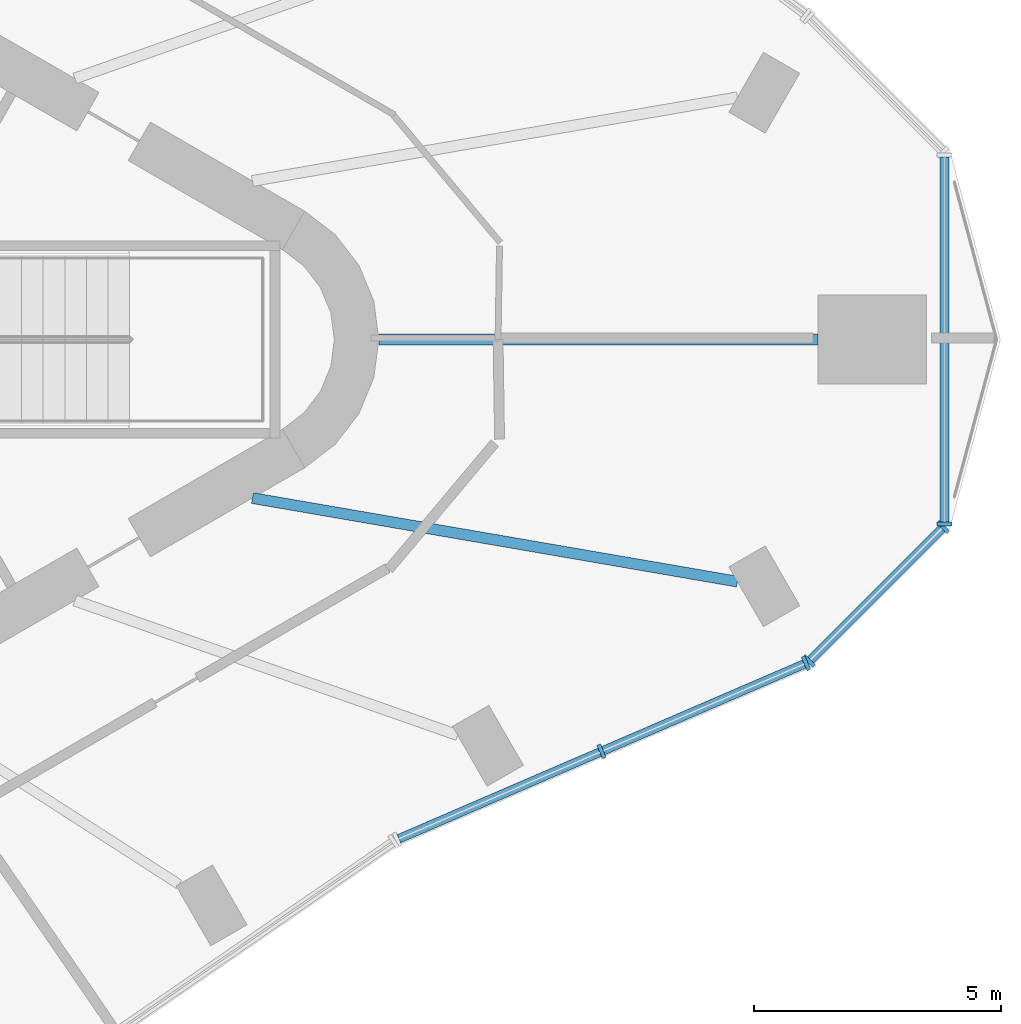
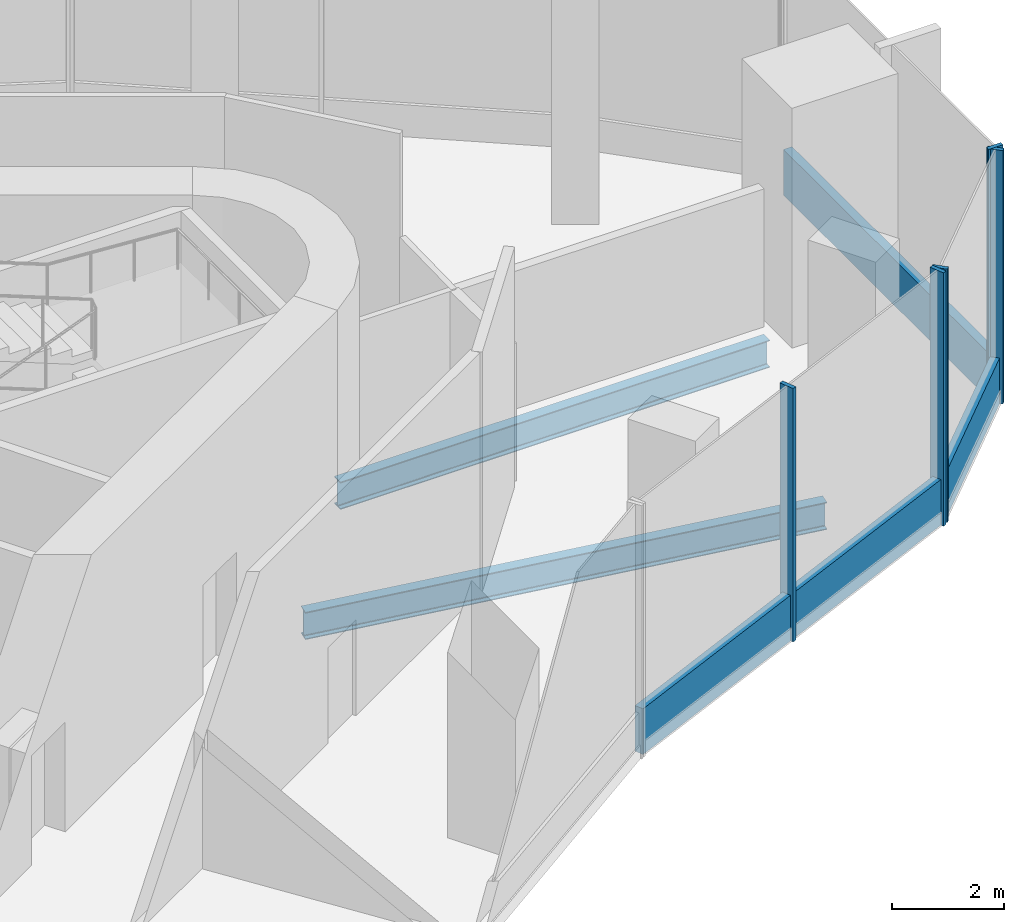
# One storey, part 3 of 13: 9 members, 2 beams, 3 elements without a shape of their own.
"""IFC4 building model written with IfcOpenShell, lengths in metres."""

from ifc_helpers import new_model, si_unit, direction, frame, origin, origin_2d, place, context, subcontext, project, spatial, rectangle, i_section, extrude, material, material_profile, profile_set, type_object, element, aggregate, save


model = new_model("IFC4")

# Units and contexts
model_context = context("Model", 3, precision=1e-05, world=origin(), true_north=direction((0.0, 1.0)))
body_context = subcontext(model_context, "Body", "Model", "MODEL_VIEW")
ifc_project = project(units=[si_unit("LENGTHUNIT", "METRE"), si_unit("AREAUNIT", "SQUARE_METRE"), si_unit("VOLUMEUNIT", "CUBIC_METRE"), si_unit("PLANEANGLEUNIT", "RADIAN"), si_unit("MASSUNIT", "GRAM", prefix="KILO")], contexts=[model_context])

# Site, building, storey
site_placement = place(None, origin())
site = spatial("IfcSite", under=ifc_project, at=site_placement, CompositionType="ELEMENT")
building_placement = place(site_placement, origin())
building = spatial("IfcBuilding", under=site, at=building_placement, Name="Tanit Gate Tower", CompositionType="ELEMENT")
storey_placement = place(building_placement, frame((0.0, 0.0, 404.800048828125)))
storey = spatial("IfcBuildingStorey", under=building, at=storey_placement, Name="L92", CompositionType="ELEMENT", Elevation=404.800048828125)

# Curtain wall, members
ifc_material_1 = material(Name="Aluminium bronze anodised and glass", Category="aluminium")
curtain_wall_type = type_object("IfcCurtainWallType", Name="Curtain wall observation", PredefinedType="NOTDEFINED", material=ifc_material_1)
curtain_wall_1_placement = place(storey_placement, origin())
curtain_wall_1 = element("IfcCurtainWall", 1, at=curtain_wall_1_placement, inside=storey, type_object=curtain_wall_type, Name="Curtain wall L92 SE3", PredefinedType="NOTDEFINED")
ifc_material_2 = material(Name="Aluminium bronze anodised", Category="aluminium")
ifc_material_profile_1 = material_profile(ifc_material_2, rectangle(XDim=0.300048828125, YDim=0.080078125, at=origin_2d()), Name="80x300 bronze mullion")
ifc_profile_set_1 = profile_set([ifc_material_profile_1], Name="Aluminium bronze anodised")
member_type_1 = type_object("IfcMemberType", Name="Mullion 80x300 observation", PredefinedType="MULLION", material=ifc_profile_set_1)
member_1_placement = place(storey_placement, frame((25.712646484375, -8.344482421875, -0.300048828125), z_axis=(0.0, 0.0, 1.0), x_axis=(-0.395871474525, 0.918305927051, 0.0)))
member_1 = element("IfcMember", 2, at=member_1_placement, type_object=member_type_1, Name="Mullion L92 SE3.2", PredefinedType="MULLION", context=body_context, shape_type="SweptSolid", body=[
    extrude(rectangle(XDim=0.300048828125, YDim=0.080078125, at=origin_2d()), origin(), (0.0, 0.0, 1.0), 5.550048828125),
])
member_2_placement = place(storey_placement, frame((29.854248046875, -6.55908203125, -0.300048828125), z_axis=(0.0, 0.0, 1.0), x_axis=(-0.395871474525, 0.918305927051, 0.0)))
member_2 = element("IfcMember", 3, at=member_2_placement, type_object=member_type_1, Name="Mullion L92 SE3.3", PredefinedType="MULLION", context=body_context, shape_type="SweptSolid", body=[
    extrude(rectangle(XDim=0.300048828125, YDim=0.080078125, at=origin_2d()), origin(), (0.0, 0.0, 1.0), 5.550048828125),
])

curtain_wall_2_placement = place(storey_placement, origin())
curtain_wall_2 = element("IfcCurtainWall", 4, at=curtain_wall_2_placement, inside=storey, type_object=curtain_wall_type, Name="Curtain wall L92 E.arc1", PredefinedType="NOTDEFINED")
member_3_placement = place(storey_placement, frame((29.91943359375, -6.514892578125, -0.300048828125), z_axis=(0.0, 0.0, 1.0), x_axis=(-0.707106781187, 0.707106781187, 0.0)))
member_3 = element("IfcMember", 5, at=member_3_placement, type_object=member_type_1, Name="Mullion L92 E.arc1.1", PredefinedType="MULLION", context=body_context, shape_type="SweptSolid", body=[
    extrude(rectangle(XDim=0.300048828125, YDim=0.080078125, at=origin_2d()), origin(), (0.0, 0.0, 1.0), 5.550048828125),
])
member_4_placement = place(storey_placement, frame((32.632080078125, -3.80224609375, -0.300048828125), z_axis=(0.0, 0.0, 1.0), x_axis=(-0.707106781187, 0.707106781187, 0.0)))
member_4 = element("IfcMember", 6, at=member_4_placement, type_object=member_type_1, Name="Mullion L92 E.arc1.2", PredefinedType="MULLION", context=body_context, shape_type="SweptSolid", body=[
    extrude(rectangle(XDim=0.300048828125, YDim=0.080078125, at=origin_2d()), origin(), (0.0, 0.0, 1.0), 5.550048828125),
])

# Curtain wall, member
curtain_wall_3_placement = place(storey_placement, origin())
curtain_wall_3 = element("IfcCurtainWall", 7, at=curtain_wall_3_placement, inside=storey, type_object=curtain_wall_type, Name="Curtain wall L92 E.arc2", PredefinedType="NOTDEFINED")
member_5_placement = place(storey_placement, frame((32.66015625, -3.73388671875, -0.300048828125), z_axis=(0.0, 0.0, 1.0), x_axis=(-1.0, 0.0, 0.0)))
member_5 = element("IfcMember", 8, at=member_5_placement, type_object=member_type_1, Name="Mullion L92 E.arc2.1", PredefinedType="MULLION", context=body_context, shape_type="SweptSolid", body=[
    extrude(rectangle(XDim=0.300048828125, YDim=0.080078125, at=origin_2d()), origin(), (0.0, 0.0, 1.0), 5.550048828125),
])

# Beams
ifc_material_3 = material(Name="Steel S355", Category="steel")
ifc_material_profile_2 = material_profile(ifc_material_3, i_section(OverallWidth=0.219970703125, OverallDepth=0.60009765625, WebThickness=0.011962890625, FlangeThickness=0.01904296875, FilletRadius=0.02392578125, at=origin_2d()), Name="IPE 600")
ifc_profile_set_2 = profile_set([ifc_material_profile_2], Name="Steel S355")
beam_type = type_object("IfcBeamType", Name="RADIAL GIRDER IPE 600 S355", PredefinedType="BEAM", material=ifc_profile_set_2)
beam_1_placement = place(storey_placement, frame((28.464599609375, -4.905029296875, -0.60009765625), z_axis=(-0.985476230571, 0.169813424025, 0.0), x_axis=(-0.169813424025, -0.985476230571, 0.0)))
element("IfcBeam", 9, at=beam_1_placement, inside=storey, type_object=beam_type, Name="RADIAL GIRDER", PredefinedType="BEAM", context=body_context, shape_type="SweptSolid", body=[
    extrude(i_section(OverallWidth=0.219970703125, OverallDepth=0.60009765625, WebThickness=0.011962890625, FlangeThickness=0.01904296875, FilletRadius=0.02392578125, at=origin_2d()), origin(), (0.0, 0.0, 1.0), 9.968994140625),
])
beam_2_placement = place(storey_placement, frame((30.095703125, 0.0, -0.60009765625), z_axis=(-1.0, 0.0, 0.0), x_axis=(0.0, -1.0, 0.0)))
element("IfcBeam", 10, at=beam_2_placement, inside=storey, type_object=beam_type, Name="RADIAL GIRDER", PredefinedType="BEAM", context=body_context, shape_type="SweptSolid", body=[
    extrude(i_section(OverallWidth=0.219970703125, OverallDepth=0.60009765625, WebThickness=0.011962890625, FlangeThickness=0.01904296875, FilletRadius=0.02392578125, at=origin_2d()), origin(), (0.0, 0.0, 1.0), 8.893798828125),
])

# Member
ifc_material_4 = material(Name="Aluminium bronze anodised", Category="aluminium")
ifc_material_profile_3 = material_profile(ifc_material_4, rectangle(XDim=0.179931640625, YDim=1.0, at=origin_2d()), Name="180x1000 bronze transom")
ifc_profile_set_3 = profile_set([ifc_material_profile_3], Name="Aluminium bronze anodised")
member_type_2 = type_object("IfcMemberType", Name="Transom 180x1000 observation", PredefinedType="USERDEFINED", material=ifc_profile_set_3)
member_6_placement = place(storey_placement, frame((21.60791015625, -10.114013671875, 0.199951171875), z_axis=(0.918310615543, 0.395860598419, 0.0), x_axis=(-0.395860598419, 0.918310615543, 0.0)))
member_6 = element("IfcMember", 11, at=member_6_placement, type_object=member_type_2, Name="Transom L92 SE3.1", ObjectType="TRANSOM", PredefinedType="USERDEFINED", context=body_context, shape_type="SweptSolid", body=[
    extrude(rectangle(XDim=0.179931640625, YDim=1.0, at=origin_2d()), origin(), (0.0, 0.0, 1.0), 4.429931640625),
])

member_7_placement = place(storey_placement, frame((25.74951171875, -8.32861328125, 0.199951171875), z_axis=(0.918310615543, 0.395860598419, 0.0), x_axis=(-0.395860598419, 0.918310615543, 0.0)))
member_7 = element("IfcMember", 12, at=member_7_placement, type_object=member_type_2, Name="Transom L92 SE3.2", ObjectType="TRANSOM", PredefinedType="USERDEFINED", context=body_context, shape_type="SweptSolid", body=[
    extrude(rectangle(XDim=0.179931640625, YDim=1.0, at=origin_2d()), origin(), (0.0, 0.0, 1.0), 4.429931640625),
])

aggregate(curtain_wall_1, [member_1, member_2, member_6, member_7])

member_8_placement = place(storey_placement, frame((29.947509765625, -6.486572265625, 0.199951171875), z_axis=(0.707139277649, 0.70707428323, 0.0), x_axis=(-0.70707428323, 0.707139277649, 0.0)))
member_8 = element("IfcMember", 13, at=member_8_placement, type_object=member_type_2, Name="Transom L92 E.arc1.1", ObjectType="TRANSOM", PredefinedType="USERDEFINED", context=body_context, shape_type="SweptSolid", body=[
    extrude(rectangle(XDim=0.179931640625, YDim=1.0, at=origin_2d()), origin(), (0.0, 0.0, 1.0), 3.75634765625),
])

aggregate(curtain_wall_2, [member_3, member_4, member_8])

member_9_placement = place(storey_placement, frame((32.66015625, -3.694091796875, 0.199951171875), z_axis=(0.0, 1.0, 0.0), x_axis=(-1.0, 0.0, 0.0)))
member_9 = element("IfcMember", 14, at=member_9_placement, type_object=member_type_2, Name="Transom L92 E.arc2.1", ObjectType="TRANSOM", PredefinedType="USERDEFINED", context=body_context, shape_type="SweptSolid", body=[
    extrude(rectangle(XDim=0.179931640625, YDim=1.0, at=origin_2d()), origin(), (0.0, 0.0, 1.0), 7.38818359375),
])

aggregate(curtain_wall_3, [member_5, member_9])

save(model, "model.ifc")
